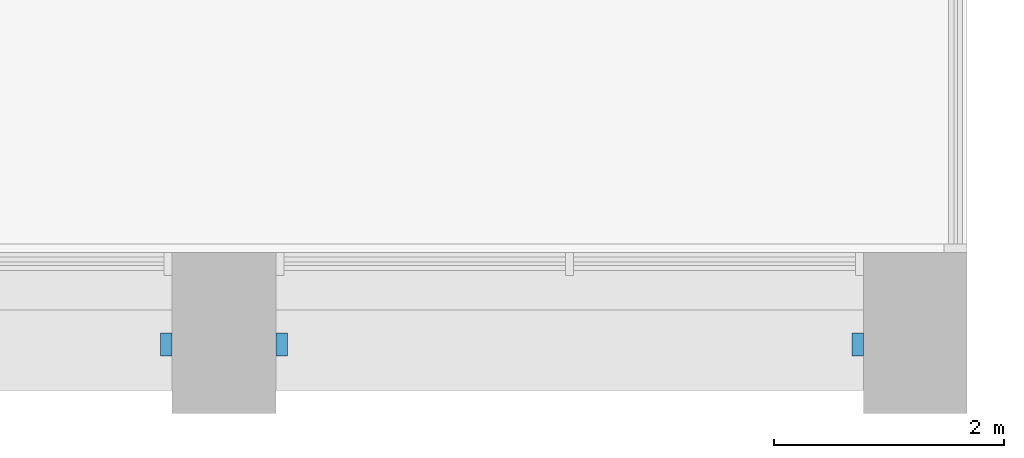
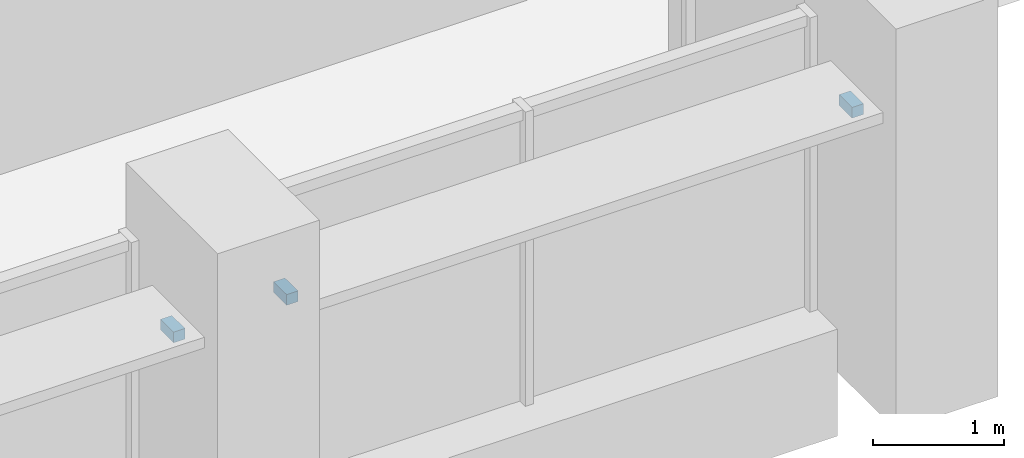
# One storey, part 14 of 15: 3 discrete accessories.
"""IFC4 building model written with IfcOpenShell, lengths in metres."""

from ifc_helpers import new_model, si_unit, direction, frame, origin, origin_2d, place, context, subcontext, project, spatial, rectangle, extrude, element, save


model = new_model("IFC4")

# Units and contexts
model_context = context("Model", 3, precision=1e-05, world=origin(), true_north=direction((0.0, 1.0)))
body_context = subcontext(model_context, "Body", "Model", "MODEL_VIEW")
ifc_project = project(units=[si_unit("LENGTHUNIT", "METRE"), si_unit("AREAUNIT", "SQUARE_METRE"), si_unit("VOLUMEUNIT", "CUBIC_METRE"), si_unit("PLANEANGLEUNIT", "RADIAN"), si_unit("MASSUNIT", "GRAM", prefix="KILO")], contexts=[model_context])

# Site, building, storey
site_placement = place(None, origin())
site = spatial("IfcSite", under=ifc_project, at=site_placement, CompositionType="ELEMENT")
building_placement = place(site_placement, origin())
building = spatial("IfcBuilding", under=site, at=building_placement, Name="Calvaro Tower", CompositionType="ELEMENT")
storey_placement = place(building_placement, frame((0.0, 0.0, 128.75)))
storey = spatial("IfcBuildingStorey", under=building, at=storey_placement, Name="L32", CompositionType="ELEMENT", Elevation=128.75)

# Discrete accessories
for number, where, z_axis, x_axis, name in (
    (1, (59.5, 2.10009765625, 2.25), (0.0, 0.0, 1.0), (1.0, 0.0, 0.0), "Brise-soleil bracket"),
    (2, (60.5, 2.10009765625, 2.25), (0.0, 0.0, 1.0), (1.0, 0.0, 0.0), "Brise-soleil bracket"),
    (3, (65.5, 2.10009765625, 2.25), (0.0, 0.0, 1.0), (1.0, 0.0, 0.0), "Brise-soleil bracket"),
):
    element("IfcDiscreteAccessory", number, at=place(storey_placement, frame(where, z_axis=z_axis, x_axis=x_axis)), inside=storey, Name=name, PredefinedType="BRACKET", context=body_context, shape_type="SweptSolid", body=[
        extrude(rectangle(XDim=0.10009765625, YDim=0.199951171875, at=origin_2d()), origin(), (0.0, 0.0, 1.0), 0.10009765625),
    ])

save(model, "model.ifc")
